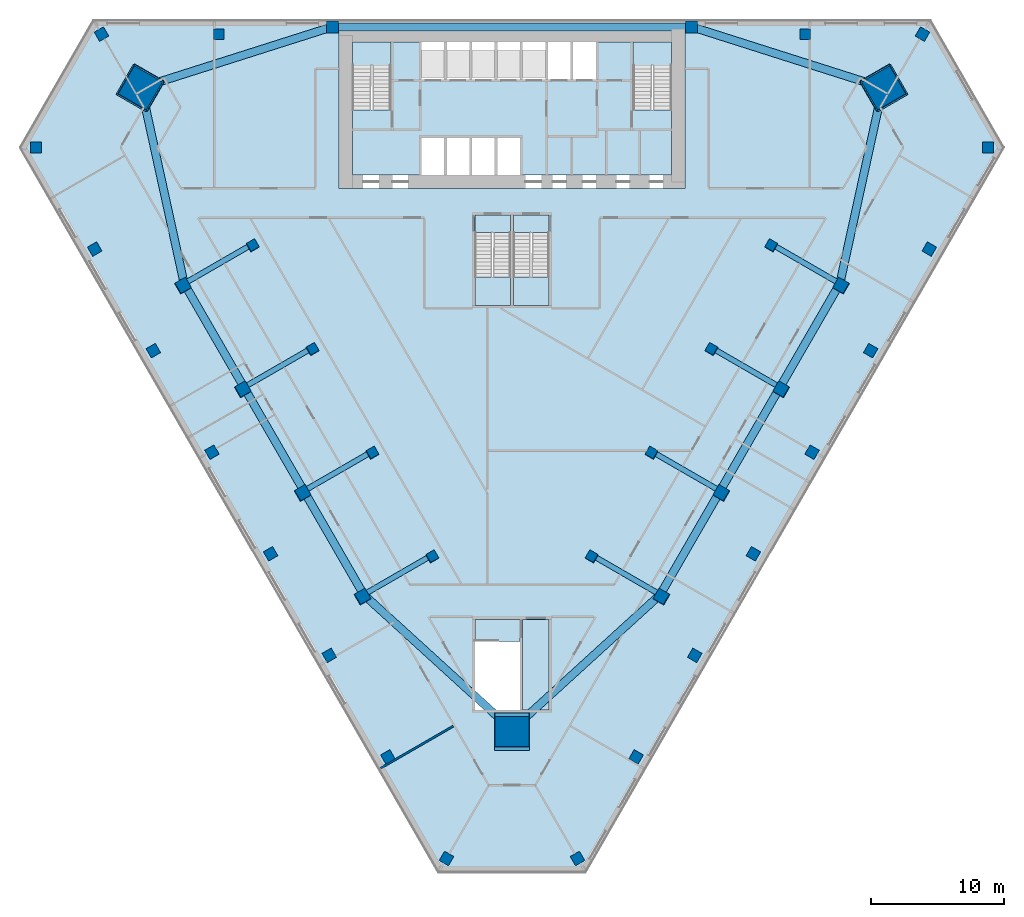
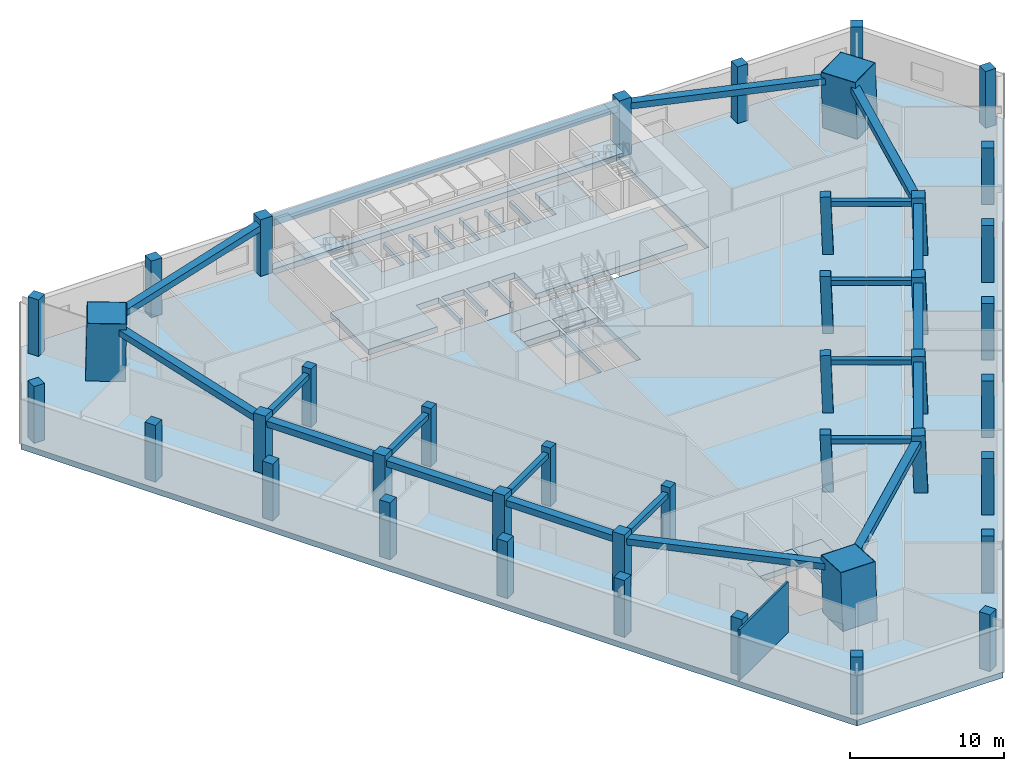
# One storey, part 1 of 9: 41 columns, 21 beams, 10 slabs, 3 members, 1 wall, 4 elements without a shape of their own.
"""IFC4 building model written with IfcOpenShell, lengths in metres."""

from ifc_helpers import new_model, si_unit, direction, frame, frame_2d, origin, origin_2d, place, context, subcontext, project, spatial, polyline, rectangle, hollow_rectangle, outline, extrude, material, layer, layer_set, material_profile, profile_set, type_object, element, aggregate, save


model = new_model("IFC4")

# Units and contexts
model_context = context("Model", 3, precision=1e-05, world=origin(), true_north=direction((0.0, 1.0)))
body_context = subcontext(model_context, "Body", "Model", "MODEL_VIEW")
ifc_project = project(units=[si_unit("LENGTHUNIT", "METRE"), si_unit("AREAUNIT", "SQUARE_METRE"), si_unit("VOLUMEUNIT", "CUBIC_METRE"), si_unit("PLANEANGLEUNIT", "RADIAN"), si_unit("MASSUNIT", "GRAM", prefix="KILO")], contexts=[model_context])

# Site, building, storey
site_placement = place(None, origin())
site = spatial("IfcSite", under=ifc_project, at=site_placement, CompositionType="ELEMENT")
building_placement = place(site_placement, origin())
building = spatial("IfcBuilding", under=site, at=building_placement, Name="Altiplano Prism Tower", CompositionType="ELEMENT")
storey_placement = place(building_placement, frame((0.0, 0.0, 18.0)))
storey = spatial("IfcBuildingStorey", under=building, at=storey_placement, Name="L03", CompositionType="ELEMENT", Elevation=18.0)

# Columns
ifc_material_1 = material(Name="Concrete C60/75", Category="concrete")
ifc_material_profile_1 = material_profile(ifc_material_1, rectangle(XDim=0.699951171875, YDim=0.699951171875, at=origin_2d()), Name="Inner column 700")
ifc_profile_set_1 = profile_set([ifc_material_profile_1], Name="Concrete C60/75")
column_type_1 = type_object("IfcColumnType", Name="Inner column 700", PredefinedType="COLUMN", material=ifc_profile_set_1)
for number, where, z_axis, x_axis, name in (
    (1, (65.4921875, 88.09423828125, -0.021240234375), (0.022221996839, 0.038427794534, 0.999014257888), (-0.865947521527, -0.498655202022, 0.038443197811), "Inner column I11 L03"),
    (2, (69.9921875, 80.300048828125, -0.021240234375), (0.022221996839, 0.038427794534, 0.999014257888), (-0.865944469378, -0.498660491789, 0.038443333394), "Inner column I12 L03"),
    (3, (74.4921875, 72.505615234375, -0.021240234375), (0.022221950523, 0.03848191432, 0.999012175694), (-0.865637684577, -0.499189728129, 0.038483949525), "Inner column I13 L03"),
    (4, (78.9921875, 64.71142578125, -0.021240234375), (0.022221950523, 0.03848191432, 0.999012175694), (-0.865641080428, -0.499183851016, 0.038483798676), "Inner column I14 L03"),
    (5, (91.0078125, 64.71142578125, -0.021240234375), (-0.022221950523, 0.03848191432, 0.999012175694), (-0.500171675318, -0.865641164199, 0.02221868705), "Inner column I21 L03"),
    (6, (95.5078125, 72.505615234375, -0.021240234375), (-0.022221950523, 0.03848191432, 0.999012175694), (-0.50017755243, -0.865637775054, 0.02221842577), "Inner column I22 L03"),
    (7, (100.0078125, 80.300048828125, -0.021240234375), (-0.022221996839, 0.038427794534, 0.999014257888), (-0.49964623366, -0.865945159081, 0.022195104275), "Inner column I23 L03"),
    (8, (104.5078125, 88.09423828125, -0.021240234375), (-0.022221996839, 0.038427794534, 0.999014257888), (-0.499648394901, -0.865943914511, 0.022195008327), "Inner column I24 L03"),
):
    element("IfcColumn", number, at=place(storey_placement, frame(where, z_axis=z_axis, x_axis=x_axis)), inside=storey, type_object=column_type_1, Name=name, PredefinedType="COLUMN", context=body_context, shape_type="SweptSolid", body=[
        extrude(rectangle(XDim=0.699951171875, YDim=0.699951171875, at=origin_2d()), origin(), (0.0, 0.0, 1.0), 4.50439453125),
    ])
ifc_material_2 = material(Name="Concrete C70/85", Category="concrete")
ifc_material_profile_2 = material_profile(ifc_material_2, rectangle(XDim=2.52001953125, YDim=2.52001953125, at=origin_2d()), Name="Mega column infill 2600")
ifc_profile_set_2 = profile_set([ifc_material_profile_2], Name="Concrete C70/85")
column_type_2 = type_object("IfcColumnType", Name="Mega column infill 2600", PredefinedType="COLUMN", material=ifc_profile_set_2)
column_1_placement = place(storey_placement, frame((56.9970703125, 99.9365234375, 0.0), z_axis=(0.028416116488, 0.009273198319, 0.999553166228), x_axis=(-0.865919141901, 0.499784777633, 0.019980383755)))
element("IfcColumn", 9, at=column_1_placement, inside=storey, type_object=column_type_2, Name="Mega column M0 L03", PredefinedType="COLUMN", context=body_context, shape_type="SweptSolid", body=[
    extrude(rectangle(XDim=2.52001953125, YDim=2.52001953125, at=origin_2d()), origin(), (0.0, 0.0, 1.0), 4.501953125),
])
column_2_placement = place(storey_placement, frame((85.0, 51.43408203125, 0.0), z_axis=(0.0, 0.058385473851, 0.998294113197), x_axis=(-1.0, 0.0, 0.0)))
element("IfcColumn", 10, at=column_2_placement, inside=storey, type_object=column_type_2, Name="Mega column M1 L03", PredefinedType="COLUMN", context=body_context, shape_type="SweptSolid", body=[
    extrude(rectangle(XDim=2.52001953125, YDim=2.52001953125, at=origin_2d()), origin(), (0.0, 0.0, 1.0), 4.507568359375),
])
column_3_placement = place(storey_placement, frame((113.0029296875, 99.9365234375, 0.0), z_axis=(-0.028416116488, 0.009273198319, 0.999553166228), x_axis=(0.499378169788, -0.866098833474, 0.022231828423)))
element("IfcColumn", 11, at=column_3_placement, inside=storey, type_object=column_type_2, Name="Mega column M2 L03", PredefinedType="COLUMN", context=body_context, shape_type="SweptSolid", body=[
    extrude(rectangle(XDim=2.52001953125, YDim=2.52001953125, at=origin_2d()), origin(), (0.0, 0.0, 1.0), 4.501953125),
])
ifc_material_profile_3 = material_profile(ifc_material_1, rectangle(XDim=0.89990234375, YDim=0.89990234375, at=origin_2d()), Name="Perimeter column 900")
ifc_profile_set_3 = profile_set([ifc_material_profile_3], Name="Concrete C60/75")
column_type_3 = type_object("IfcColumnType", Name="Perimeter column 900", PredefinedType="COLUMN", material=ifc_profile_set_3)
for number, where, z_axis, x_axis, name in (
    (12, (98.5, 104.550048828125, 0.0), (0.0, 0.0, 1.0), (1.0, 0.0, 0.0), "Perimeter column P01 L03"),
    (13, (71.5, 104.550048828125, 0.0), (0.0, 0.0, 1.0), (1.0, 0.0, 0.0), "Perimeter column P04 L03"),
):
    element("IfcColumn", number, at=place(storey_placement, frame(where, z_axis=z_axis, x_axis=x_axis)), inside=storey, type_object=column_type_3, Name=name, PredefinedType="COLUMN", context=body_context, shape_type="SweptSolid", body=[
        extrude(rectangle(XDim=0.89990234375, YDim=0.89990234375, at=origin_2d()), origin(), (0.0, 0.0, 1.0), 4.5),
    ])
for number, where, z_axis, x_axis, name in (
    (14, (60.252685546875, 85.06884765625, -0.02734375), (0.02216777731, 0.038481960612, 0.999013377466), (-0.865112307264, -0.500101479435, 0.038460448354), "Perimeter column P11 L03"),
    (15, (64.752685546875, 77.274658203125, -0.02734375), (0.02216777731, 0.038481960612, 0.999013377466), (-0.865111388971, -0.500103064833, 0.038460489047), "Perimeter column P12 L03"),
    (16, (69.252685546875, 69.48046875, -0.02734375), (0.022167823514, 0.038427840761, 0.999015459668), (-0.865415861149, -0.499579116894, 0.038419958826), "Perimeter column P13 L03"),
    (17, (73.752685546875, 61.686279296875, -0.02734375), (0.022167823514, 0.038427840761, 0.999015459668), (-0.865419259621, -0.49957324129, 0.038419808228), "Perimeter column P14 L03"),
    (18, (96.247314453125, 61.686279296875, -0.02734375), (-0.022167823514, 0.038427840761, 0.999015459668), (-0.500557781558, -0.865418902984, 0.022181742055), "Perimeter column P21 L03"),
    (19, (100.747314453125, 69.48046875, -0.02734375), (-0.022167823514, 0.038427840761, 0.999015459668), (-0.500563657164, -0.865415511196, 0.02218148121), "Perimeter column P22 L03"),
    (20, (105.247314453125, 77.274658203125, -0.02734375), (-0.02216777731, 0.038481960612, 0.999013377466), (-0.501089686905, -0.865110434137, 0.022205009022), "Perimeter column P23 L03"),
    (21, (109.747314453125, 85.06884765625, -0.02734375), (-0.02216777731, 0.038481960612, 0.999013377466), (-0.501091830967, -0.865109194695, 0.022204913703), "Perimeter column P24 L03"),
):
    element("IfcColumn", number, at=place(storey_placement, frame(where, z_axis=z_axis, x_axis=x_axis)), inside=storey, type_object=column_type_3, Name=name, PredefinedType="COLUMN", context=body_context, shape_type="SweptSolid", body=[
        extrude(rectangle(XDim=0.89990234375, YDim=0.89990234375, at=origin_2d()), origin(), (0.0, 0.0, 1.0), 4.50439453125),
    ])
ifc_material_profile_4 = material_profile(ifc_material_1, rectangle(XDim=0.800048828125, YDim=0.800048828125, at=origin_2d()), Name="Podium column 800")
ifc_profile_set_4 = profile_set([ifc_material_profile_4], Name="Concrete C60/75")
column_type_4 = type_object("IfcColumnType", Name="Podium column 800", PredefinedType="COLUMN", material=ifc_profile_set_4)
for number, where, z_axis, x_axis, name in (
    (22, (115.85791015625, 104.0, 0.0), (0.0, 0.0, 1.0), (0.500000015115, 0.866025395058, 0.0), "PC Q01 L03"),
    (23, (107.041259765625, 104.0, 0.0), (0.0, 0.0, 1.0), (1.0, 0.0, 0.0), "PC Q02 L03"),
    (24, (62.958740234375, 104.0, 0.0), (0.0, 0.0, 1.0), (1.0, 0.0, 0.0), "PC Q07 L03"),
    (25, (54.14208984375, 104.0, 0.0), (0.0, 0.0, 1.0), (0.866025395058, 0.500000015115, 0.0), "PC Q08 L03"),
    (26, (49.219482421875, 95.4736328125, 0.0), (0.0, 0.0, 1.0), (1.0, 1.7453e-08, 0.0), "PC Q09 L03"),
    (27, (53.627685546875, 87.83837890625, 0.0), (0.0, 0.0, 1.0), (0.866025412511, 0.499999984885, 0.0), "PC Q10 L03"),
    (28, (58.035888671875, 80.203125, 0.0), (0.0, 0.0, 1.0), (0.866025412511, 0.499999984885, 0.0), "PC Q11 L03"),
    (29, (62.4443359375, 72.567626953125, 0.0), (0.0, 0.0, 1.0), (0.866025412511, 0.499999984885, 0.0), "PC Q12 L03"),
    (30, (66.8525390625, 64.932373046875, 0.0), (0.0, 0.0, 1.0), (0.866025412511, 0.499999984885, 0.0), "PC Q13 L03"),
    (31, (71.2607421875, 57.296875, 0.0), (0.0, 0.0, 1.0), (0.866025412511, 0.499999984885, 0.0), "PC Q14 L03"),
    (32, (75.669189453125, 49.66162109375, 0.0), (0.0, 0.0, 1.0), (0.866025412511, 0.499999984885, 0.0), "PC Q15 L03"),
    (33, (80.077392578125, 42.0263671875, 0.0), (0.0, 0.0, 1.0), (0.5, 0.866025403784, 0.0), "PC Q16 L03"),
    (34, (89.922607421875, 42.0263671875, 0.0), (0.0, 0.0, 1.0), (0.866025403784, 0.5, 0.0), "PC Q17 L03"),
    (35, (94.330810546875, 49.66162109375, 0.0), (0.0, 0.0, 1.0), (0.499999984885, 0.866025412511, 0.0), "PC Q18 L03"),
    (36, (98.7392578125, 57.296875, 0.0), (0.0, 0.0, 1.0), (0.499999984885, 0.866025412511, 0.0), "PC Q19 L03"),
    (37, (103.1474609375, 64.932373046875, 0.0), (0.0, 0.0, 1.0), (0.499999984885, 0.866025412511, 0.0), "PC Q20 L03"),
    (38, (107.5556640625, 72.567626953125, 0.0), (0.0, 0.0, 1.0), (0.499999984885, 0.866025412511, 0.0), "PC Q21 L03"),
    (39, (111.964111328125, 80.203125, 0.0), (0.0, 0.0, 1.0), (0.499999984885, 0.866025412511, 0.0), "PC Q22 L03"),
    (40, (116.372314453125, 87.83837890625, 0.0), (0.0, 0.0, 1.0), (0.499999984885, 0.866025412511, 0.0), "PC Q23 L03"),
    (41, (120.780517578125, 95.4736328125, 0.0), (0.0, 0.0, 1.0), (1.7453e-08, 1.0, 0.0), "PC Q24 L03"),
):
    element("IfcColumn", number, at=place(storey_placement, frame(where, z_axis=z_axis, x_axis=x_axis)), inside=storey, type_object=column_type_4, Name=name, PredefinedType="COLUMN", context=body_context, shape_type="SweptSolid", body=[
        extrude(rectangle(XDim=0.800048828125, YDim=0.800048828125, at=origin_2d()), origin(), (0.0, 0.0, 1.0), 4.5),
    ])

# Beams
ifc_material_profile_5 = material_profile(ifc_material_1, rectangle(XDim=0.60009765625, YDim=0.5, at=origin_2d()), Name="Edge beam 600x500")
ifc_profile_set_5 = profile_set([ifc_material_profile_5], Name="Concrete C60/75")
beam_type_1 = type_object("IfcBeamType", Name="Edge beam 600x500", PredefinedType="SPANDREL", material=ifc_profile_set_5)
beam_1_placement = place(storey_placement, frame((109.72216796875, 85.587158203125, 3.800048828125), z_axis=(0.214015486054, 0.976830267615, 0.0), x_axis=(-0.976830267615, 0.214015486054, 0.0)))
element("IfcBeam", 42, at=beam_1_placement, inside=storey, type_object=beam_type_1, Name="Edge beam P24-M2 L04", PredefinedType="SPANDREL", context=body_context, shape_type="SweptSolid", body=[
    extrude(rectangle(XDim=0.60009765625, YDim=0.5, at=origin_2d()), origin(), (0.0, 0.0, 1.0), 14.2822265625),
])
beam_2_placement = place(storey_placement, frame((112.4462890625, 100.114501953125, 3.800048828125), z_axis=(-0.952961917156, 0.303090059967, 0.0), x_axis=(-0.303090059967, -0.952961917156, 0.0)))
element("IfcBeam", 43, at=beam_2_placement, inside=storey, type_object=beam_type_1, Name="Edge beam M2-P01 L04", PredefinedType="SPANDREL", context=body_context, shape_type="SweptSolid", body=[
    extrude(rectangle(XDim=0.60009765625, YDim=0.5, at=origin_2d()), origin(), (0.0, 0.0, 1.0), 14.282470703125),
])
beam_3_placement = place(storey_placement, frame((98.169921875, 104.550048828125, 3.800048828125), z_axis=(-1.0, 0.0, 0.0), x_axis=(0.0, -1.0, 0.0)))
element("IfcBeam", 44, at=beam_3_placement, inside=storey, type_object=beam_type_1, Name="Edge beam P01-P04 L04", PredefinedType="SPANDREL", context=body_context, shape_type="SweptSolid", body=[
    extrude(rectangle(XDim=0.60009765625, YDim=0.5, at=origin_2d()), origin(), (0.0, 0.0, 1.0), 26.33984375),
])
beam_4_placement = place(storey_placement, frame((71.164306640625, 104.443359375, 3.800048828125), z_axis=(-0.952961917156, -0.303090059967, 0.0), x_axis=(0.303090059967, -0.952961917156, 0.0)))
element("IfcBeam", 45, at=beam_4_placement, inside=storey, type_object=beam_type_1, Name="Edge beam P04-M0 L04", PredefinedType="SPANDREL", context=body_context, shape_type="SweptSolid", body=[
    extrude(rectangle(XDim=0.60009765625, YDim=0.5, at=origin_2d()), origin(), (0.0, 0.0, 1.0), 14.282470703125),
])
beam_5_placement = place(storey_placement, frame((57.22119140625, 99.53857421875, 3.800048828125), z_axis=(0.214015486054, -0.976830267615, 0.0), x_axis=(0.976830267615, 0.214015486054, 0.0)))
element("IfcBeam", 46, at=beam_5_placement, inside=storey, type_object=beam_type_1, Name="Edge beam M0-P11 L04", PredefinedType="SPANDREL", context=body_context, shape_type="SweptSolid", body=[
    extrude(rectangle(XDim=0.60009765625, YDim=0.5, at=origin_2d()), origin(), (0.0, 0.0, 1.0), 14.2822265625),
])
for number, where, z_axis, x_axis, name in (
    (47, (60.518310546875, 84.957275390625, 3.800048828125), (0.499992746786, -0.866029591389, 0.0), (0.866029591389, 0.499992746786, 0.0), "Edge beam P11-P12 L04"),
    (48, (65.018310546875, 77.1630859375, 3.800048828125), (0.499992746786, -0.866029591389, 0.0), (0.866029591389, 0.499992746786, 0.0), "Edge beam P12-P13 L04"),
    (49, (69.518310546875, 69.368896484375, 3.800048828125), (0.499992746786, -0.866029591389, 0.0), (0.866029591389, 0.499992746786, 0.0), "Edge beam P13-P14 L04"),
):
    element("IfcBeam", number, at=place(storey_placement, frame(where, z_axis=z_axis, x_axis=x_axis)), inside=storey, type_object=beam_type_1, Name=name, PredefinedType="SPANDREL", context=body_context, shape_type="SweptSolid", body=[
        extrude(rectangle(XDim=0.60009765625, YDim=0.5, at=origin_2d()), origin(), (0.0, 0.0, 1.0), 8.33984375),
    ])
for number, where, z_axis, x_axis, name in (
    (50, (74.113525390625, 61.623291015625, 3.800048828125), (0.73895309047, -0.673756877579, 0.0), (0.673756877579, 0.73895309047, 0.0), "Edge beam P14-M1 L04"),
    (51, (85.33251953125, 52.00048828125, 3.800048828125), (0.73895309047, 0.673756877579, 0.0), (-0.673756877579, 0.73895309047, 0.0), "Edge beam M1-P21 L04"),
):
    element("IfcBeam", number, at=place(storey_placement, frame(where, z_axis=z_axis, x_axis=x_axis)), inside=storey, type_object=beam_type_1, Name=name, PredefinedType="SPANDREL", context=body_context, shape_type="SweptSolid", body=[
        extrude(rectangle(XDim=0.60009765625, YDim=0.5, at=origin_2d()), origin(), (0.0, 0.0, 1.0), 14.2822265625),
    ])
for number, where, z_axis, x_axis, name in (
    (52, (96.311767578125, 62.146240234375, 3.800048828125), (0.499992746786, 0.866029591389, 0.0), (-0.866029591389, 0.499992746786, 0.0), "Edge beam P21-P22 L04"),
    (53, (100.811767578125, 69.9404296875, 3.800048828125), (0.499992746786, 0.866029591389, 0.0), (-0.866029591389, 0.499992746786, 0.0), "Edge beam P22-P23 L04"),
    (54, (105.311767578125, 77.734619140625, 3.800048828125), (0.499992746786, 0.866029591389, 0.0), (-0.866029591389, 0.499992746786, 0.0), "Edge beam P23-P24 L04"),
):
    element("IfcBeam", number, at=place(storey_placement, frame(where, z_axis=z_axis, x_axis=x_axis)), inside=storey, type_object=beam_type_1, Name=name, PredefinedType="SPANDREL", context=body_context, shape_type="SweptSolid", body=[
        extrude(rectangle(XDim=0.60009765625, YDim=0.5, at=origin_2d()), origin(), (0.0, 0.0, 1.0), 8.33984375),
    ])

# Members
ifc_material_3 = material(Name="Steel S460", Category="steel")
ifc_material_profile_6 = material_profile(ifc_material_3, hollow_rectangle(XDim=2.60009765625, YDim=2.60009765625, WallThickness=0.0400390625, at=origin_2d()), Name="Mega column tube 2600")
ifc_profile_set_6 = profile_set([ifc_material_profile_6], Name="Steel S460")
member_type = type_object("IfcMemberType", Name="Mega column tube 2600", PredefinedType="POST", material=ifc_profile_set_6)
member_1_placement = place(storey_placement, frame((56.9970703125, 99.9365234375, 0.0), z_axis=(0.028416116488, 0.009273198319, 0.999553166228), x_axis=(-0.865919141901, 0.499784777633, 0.019980383755)))
element("IfcMember", 55, at=member_1_placement, inside=storey, type_object=member_type, Name="Mega column tube M0 L03", PredefinedType="POST", context=body_context, shape_type="SweptSolid", body=[
    extrude(hollow_rectangle(XDim=2.60009765625, YDim=2.60009765625, WallThickness=0.0400390625, at=origin_2d()), origin(), (0.0, 0.0, 1.0), 4.501953125),
])
member_2_placement = place(storey_placement, frame((85.0, 51.43408203125, 0.0), z_axis=(0.0, 0.058385473851, 0.998294113197), x_axis=(-1.0, 0.0, 0.0)))
element("IfcMember", 56, at=member_2_placement, inside=storey, type_object=member_type, Name="Mega column tube M1 L03", PredefinedType="POST", context=body_context, shape_type="SweptSolid", body=[
    extrude(hollow_rectangle(XDim=2.60009765625, YDim=2.60009765625, WallThickness=0.0400390625, at=origin_2d()), origin(), (0.0, 0.0, 1.0), 4.507568359375),
])
member_3_placement = place(storey_placement, frame((113.0029296875, 99.9365234375, 0.0), z_axis=(-0.028416116488, 0.009273198319, 0.999553166228), x_axis=(0.499378169788, -0.866098833474, 0.022231828423)))
element("IfcMember", 57, at=member_3_placement, inside=storey, type_object=member_type, Name="Mega column tube M2 L03", PredefinedType="POST", context=body_context, shape_type="SweptSolid", body=[
    extrude(hollow_rectangle(XDim=2.60009765625, YDim=2.60009765625, WallThickness=0.0400390625, at=origin_2d()), origin(), (0.0, 0.0, 1.0), 4.501953125),
])

# Beams
ifc_material_profile_7 = material_profile(ifc_material_1, rectangle(XDim=0.39990234375, YDim=0.39990234375, at=origin_2d()), Name="Tie beam 400x400")
ifc_profile_set_7 = profile_set([ifc_material_profile_7], Name="Concrete C60/75")
beam_type_2 = type_object("IfcBeamType", Name="Tie beam 400x400", PredefinedType="BEAM", material=ifc_profile_set_7)
for number, where, z_axis, x_axis, name in (
    (58, (65.3935546875, 88.153076171875, 3.85009765625), (-0.866042665983, -0.499970099802, 0.0), (0.499970099802, -0.866042665983, 0.0), "Tie beam I11 L04"),
    (59, (69.8935546875, 80.35888671875, 3.85009765625), (-0.866042665983, -0.499970099802, 0.0), (0.499970099802, -0.866042665983, 0.0), "Tie beam I12 L04"),
    (60, (74.3935546875, 72.564697265625, 3.85009765625), (-0.866042665983, -0.499970099802, 0.0), (0.499970099802, -0.866042665983, 0.0), "Tie beam I13 L04"),
):
    element("IfcBeam", number, at=place(storey_placement, frame(where, z_axis=z_axis, x_axis=x_axis)), inside=storey, type_object=beam_type_2, Name=name, PredefinedType="BEAM", context=body_context, shape_type="SweptSolid", body=[
        extrude(rectangle(XDim=0.39990234375, YDim=0.39990234375, at=origin_2d()), origin(), (0.0, 0.0, 1.0), 5.489990234375),
    ])
for number, where, z_axis, x_axis, name in (
    (61, (78.8935546875, 64.7705078125, 3.85009765625), (-0.866023410697, -0.500003452112, 0.0), (0.500003452112, -0.866023410697, 0.0), "Tie beam I14 L04"),
    (62, (91.1064453125, 64.7705078125, 3.85009765625), (0.866023410697, -0.500003452112, 0.0), (0.500003452112, 0.866023410697, 0.0), "Tie beam I21 L04"),
):
    element("IfcBeam", number, at=place(storey_placement, frame(where, z_axis=z_axis, x_axis=x_axis)), inside=storey, type_object=beam_type_2, Name=name, PredefinedType="BEAM", context=body_context, shape_type="SweptSolid", body=[
        extrude(rectangle(XDim=0.39990234375, YDim=0.39990234375, at=origin_2d()), origin(), (0.0, 0.0, 1.0), 5.490234375),
    ])
for number, where, z_axis, x_axis, name in (
    (63, (95.6064453125, 72.564697265625, 3.85009765625), (0.866042665983, -0.499970099802, 0.0), (0.499970099802, 0.866042665983, 0.0), "Tie beam I22 L04"),
    (64, (100.1064453125, 80.35888671875, 3.85009765625), (0.866042665983, -0.499970099802, 0.0), (0.499970099802, 0.866042665983, 0.0), "Tie beam I23 L04"),
    (65, (104.6064453125, 88.153076171875, 3.85009765625), (0.866042665983, -0.499970099802, 0.0), (0.499970099802, 0.866042665983, 0.0), "Tie beam I24 L04"),
):
    element("IfcBeam", number, at=place(storey_placement, frame(where, z_axis=z_axis, x_axis=x_axis)), inside=storey, type_object=beam_type_2, Name=name, PredefinedType="BEAM", context=body_context, shape_type="SweptSolid", body=[
        extrude(rectangle(XDim=0.39990234375, YDim=0.39990234375, at=origin_2d()), origin(), (0.0, 0.0, 1.0), 5.489990234375),
    ])

# Slabs
ifc_material_4 = material(Name="Concrete C40/50", Category="concrete")
ifc_layer_1 = layer(ifc_material_4, 0.449951171875)
ifc_layer_set_1 = layer_set([ifc_layer_1], Name="Concrete C40/50")
slab_type_1 = type_object("IfcSlabType", Name="Core floor slab 450", PredefinedType="FLOOR", material=ifc_layer_set_1)
slab_1_placement = place(storey_placement, frame((0.0, 0.0, -0.449951171875)))
element("IfcSlab", 66, at=slab_1_placement, inside=storey, type_object=slab_type_1, Name="Core floor slab L03", PredefinedType="FLOOR", context=body_context, shape_type="SweptSolid", body=[
    extrude(outline(polyline([(97.0, 98.31005859375), (94.10009765625, 98.31005859375), (94.10009765625, 103.39990234375), (91.300048828125, 103.39990234375), (91.300048828125, 100.60009765625), (89.60009765625, 100.60009765625), (89.60009765625, 103.39990234375), (89.39990234375, 103.39990234375), (89.39990234375, 100.60009765625), (87.699951171875, 100.60009765625), (87.699951171875, 103.39990234375), (87.5, 103.39990234375), (87.5, 100.60009765625), (85.800048828125, 100.60009765625), (85.800048828125, 103.39990234375), (85.60009765625, 103.39990234375), (85.60009765625, 100.60009765625), (83.89990234375, 100.60009765625), (83.89990234375, 103.39990234375), (83.699951171875, 103.39990234375), (83.699951171875, 100.60009765625), (82.0, 100.60009765625), (82.0, 103.39990234375), (81.800048828125, 103.39990234375), (81.800048828125, 100.60009765625), (80.10009765625, 100.60009765625), (80.10009765625, 103.39990234375), (79.89990234375, 103.39990234375), (79.89990234375, 100.60009765625), (78.199951171875, 100.60009765625), (78.199951171875, 103.39990234375), (75.89990234375, 103.39990234375), (75.89990234375, 98.31005859375), (73.0, 98.31005859375), (73.0, 93.39990234375), (78.199951171875, 93.39990234375), (78.199951171875, 96.199951171875), (79.89990234375, 96.199951171875), (79.89990234375, 93.39990234375), (80.10009765625, 93.39990234375), (80.10009765625, 96.199951171875), (81.800048828125, 96.199951171875), (81.800048828125, 93.39990234375), (82.0, 93.39990234375), (82.0, 96.199951171875), (83.699951171875, 96.199951171875), (83.699951171875, 93.39990234375), (83.89990234375, 93.39990234375), (83.89990234375, 96.199951171875), (85.60009765625, 96.199951171875), (85.60009765625, 93.39990234375), (97.0, 93.39990234375), (97.0, 98.31005859375)])), origin(), (0.0, 0.0, 1.0), 0.449951171875),
])
slab_2_placement = place(storey_placement, frame((0.0, 0.0, -0.449951171875)))
element("IfcSlab", 67, at=slab_2_placement, inside=storey, type_object=slab_type_1, Name="Stair 3A landing slab L03", PredefinedType="FLOOR", context=body_context, shape_type="SweptSolid", body=[
    extrude(outline(polyline([(82.199951171875, 89.096923828125), (84.89990234375, 89.096923828125), (84.89990234375, 90.39990234375), (82.199951171875, 90.39990234375), (82.199951171875, 89.096923828125)])), origin(), (0.0, 0.0, 1.0), 0.449951171875),
])
slab_3_placement = place(storey_placement, frame((0.0, 0.0, -0.449951171875)))
element("IfcSlab", 68, at=slab_3_placement, inside=storey, type_object=slab_type_1, Name="Stair 3B landing slab L03", PredefinedType="FLOOR", context=body_context, shape_type="SweptSolid", body=[
    extrude(outline(polyline([(85.10009765625, 89.096923828125), (87.800048828125, 89.096923828125), (87.800048828125, 90.39990234375), (85.10009765625, 90.39990234375), (85.10009765625, 89.096923828125)])), origin(), (0.0, 0.0, 1.0), 0.449951171875),
])
slab_4_placement = place(storey_placement, frame((0.0, 0.0, -0.449951171875)))
element("IfcSlab", 69, at=slab_4_placement, inside=storey, type_object=slab_type_1, Name="Stair 4 landing slab L03", PredefinedType="FLOOR", context=body_context, shape_type="SweptSolid", body=[
    extrude(outline(polyline([(82.199951171875, 58.346923828125), (85.60009765625, 58.346923828125), (85.60009765625, 60.0), (82.199951171875, 60.0), (82.199951171875, 58.346923828125)])), origin(), (0.0, 0.0, 1.0), 0.449951171875),
])
slab_5_placement = place(storey_placement, frame((0.0, 0.0, -0.449951171875)))
element("IfcSlab", 70, at=slab_5_placement, inside=storey, type_object=slab_type_1, Name="Stair 4 lobby slab L03", PredefinedType="FLOOR", context=body_context, shape_type="SweptSolid", body=[
    extrude(outline(polyline([(85.800048828125, 53.199951171875), (87.800048828125, 53.199951171875), (87.800048828125, 60.0), (85.800048828125, 60.0), (85.800048828125, 53.199951171875)])), origin(), (0.0, 0.0, 1.0), 0.449951171875),
])
ifc_layer_2 = layer(ifc_material_4, 0.449951171875)
ifc_layer_set_2 = layer_set([ifc_layer_2], Name="Concrete C40/50")
slab_type_2 = type_object("IfcSlabType", Name="Post-tensioned flat slab 450", PredefinedType="FLOOR", material=ifc_layer_set_2)
slab_6_placement = place(storey_placement, frame((0.0, 0.0, -0.449951171875)))
element("IfcSlab", 71, at=slab_6_placement, inside=storey, type_object=slab_type_2, Name="Floor slab L03", PredefinedType="FLOOR", context=body_context, shape_type="SweptSolid", body=[
    extrude(outline(polyline([(53.564697265625, 105.0), (116.435302734375, 105.0), (121.935302734375, 95.4736328125), (90.5, 41.0263671875), (79.5, 41.0263671875), (48.064697265625, 95.4736328125), (53.564697265625, 105.0)]), holes=[polyline([(98.0, 92.39990234375), (98.0, 104.39990234375), (72.0, 104.39990234375), (72.0, 92.39990234375), (98.0, 92.39990234375)]), polyline([(82.199951171875, 83.60009765625), (84.89990234375, 83.60009765625), (84.89990234375, 90.39990234375), (82.199951171875, 90.39990234375), (82.199951171875, 83.60009765625)]), polyline([(85.10009765625, 90.39990234375), (85.10009765625, 83.60009765625), (87.800048828125, 83.60009765625), (87.800048828125, 90.39990234375), (85.10009765625, 90.39990234375)]), polyline([(85.60009765625, 60.0), (82.199951171875, 60.0), (82.199951171875, 53.199951171875), (85.60009765625, 53.199951171875), (85.60009765625, 60.0)]), polyline([(87.800048828125, 53.199951171875), (87.800048828125, 60.0), (85.800048828125, 60.0), (85.800048828125, 53.199951171875), (87.800048828125, 53.199951171875)])]), origin(), (0.0, 0.0, 1.0), 0.449951171875),
])

# Stair, slab
stair_type_1 = type_object("IfcStairType", Name="Exit stair 1400", PredefinedType="HALF_TURN_STAIR", material=ifc_material_4)
stair_1_placement = place(storey_placement, origin())
stair_1 = element("IfcStair", 72, at=stair_1_placement, inside=storey, type_object=stair_type_1, Name="L03 Exit Stair 1", PredefinedType="HALF_TURN_STAIR")
ifc_layer_3 = layer(ifc_material_4, 0.199951171875)
ifc_layer_set_3 = layer_set([ifc_layer_3], Name="Concrete C40/50")
slab_type_3 = type_object("IfcSlabType", Name="Stair landing 200", PredefinedType="LANDING", material=ifc_layer_set_3)
slab_7_placement = place(storey_placement, frame((0.0, 0.0, 2.050048828125)))
slab_7 = element("IfcSlab", 73, at=slab_7_placement, type_object=slab_type_3, Name="ST1 landing 1", PredefinedType="LANDING", context=body_context, shape_type="SweptSolid", body=[
    extrude(outline(polyline([(75.89990234375, 101.656982421875), (75.89990234375, 103.39990234375), (73.0, 103.39990234375), (73.0, 101.656982421875), (75.89990234375, 101.656982421875)])), origin(), (0.0, 0.0, 1.0), 0.199951171875),
])
aggregate(stair_1, [slab_7])

stair_2_placement = place(storey_placement, origin())
stair_2 = element("IfcStair", 74, at=stair_2_placement, inside=storey, type_object=stair_type_1, Name="L03 Exit Stair 2", PredefinedType="HALF_TURN_STAIR")
slab_8_placement = place(storey_placement, frame((0.0, 0.0, 2.050048828125)))
slab_8 = element("IfcSlab", 75, at=slab_8_placement, type_object=slab_type_3, Name="ST2 landing 1", PredefinedType="LANDING", context=body_context, shape_type="SweptSolid", body=[
    extrude(outline(polyline([(97.0, 101.656982421875), (97.0, 103.39990234375), (94.10009765625, 103.39990234375), (94.10009765625, 101.656982421875), (97.0, 101.656982421875)])), origin(), (0.0, 0.0, 1.0), 0.199951171875),
])
aggregate(stair_2, [slab_8])

stair_type_2 = type_object("IfcStairType", Name="Exit stair 1300", PredefinedType="HALF_TURN_STAIR", material=ifc_material_4)
stair_3_placement = place(storey_placement, origin())
stair_3 = element("IfcStair", 76, at=stair_3_placement, inside=storey, type_object=stair_type_2, Name="L03 Exit Stair 3A", PredefinedType="HALF_TURN_STAIR")
slab_9_placement = place(storey_placement, frame((0.0, 0.0, 2.050048828125)))
slab_9 = element("IfcSlab", 77, at=slab_9_placement, type_object=slab_type_3, Name="ST3A landing 1", PredefinedType="LANDING", context=body_context, shape_type="SweptSolid", body=[
    extrude(outline(polyline([(82.199951171875, 85.742919921875), (82.199951171875, 83.60009765625), (84.89990234375, 83.60009765625), (84.89990234375, 85.742919921875), (82.199951171875, 85.742919921875)])), origin(), (0.0, 0.0, 1.0), 0.199951171875),
])
aggregate(stair_3, [slab_9])

stair_4_placement = place(storey_placement, origin())
stair_4 = element("IfcStair", 78, at=stair_4_placement, inside=storey, type_object=stair_type_2, Name="L03 Exit Stair 3B", PredefinedType="HALF_TURN_STAIR")
slab_10_placement = place(storey_placement, frame((0.0, 0.0, 2.050048828125)))
slab_10 = element("IfcSlab", 79, at=slab_10_placement, type_object=slab_type_3, Name="ST3B landing 1", PredefinedType="LANDING", context=body_context, shape_type="SweptSolid", body=[
    extrude(outline(polyline([(85.10009765625, 85.742919921875), (85.10009765625, 83.60009765625), (87.800048828125, 83.60009765625), (87.800048828125, 85.742919921875), (85.10009765625, 85.742919921875)])), origin(), (0.0, 0.0, 1.0), 0.199951171875),
])
aggregate(stair_4, [slab_10])

# Wall
ifc_material_5 = material(Name="Plasterboard on steel stud", Category="steel")
ifc_layer_4 = layer(ifc_material_5, 0.14990234375)
ifc_layer_set_4 = layer_set([ifc_layer_4], Name="Plasterboard on steel stud")
wall_type = type_object("IfcWallType", Name="Partition 150 party", PredefinedType="PARTITIONING", material=ifc_layer_set_4)
wall_placement = place(storey_placement, frame((75.118896484375, 48.814453125, 0.0), z_axis=(0.0, 0.0, 1.0), x_axis=(0.866025537322, 0.499999768706, 0.0)))
element("IfcWall", 80, at=wall_placement, inside=storey, type_object=wall_type, Name="Partition P01 L03 048", PredefinedType="PARTITIONING", context=body_context, shape_type="SweptSolid", body=[
    extrude(rectangle(XDim=6.3251953125, YDim=0.14990234375, at=frame_2d((3.16259765625, 0.0))), origin(), (0.0, 0.0, 1.0), 4.050048828125),
])

save(model, "model.ifc")
